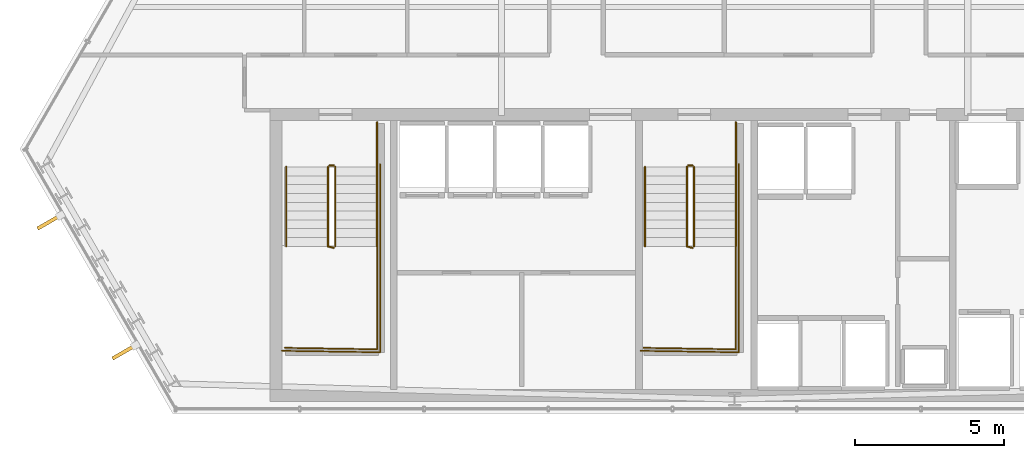
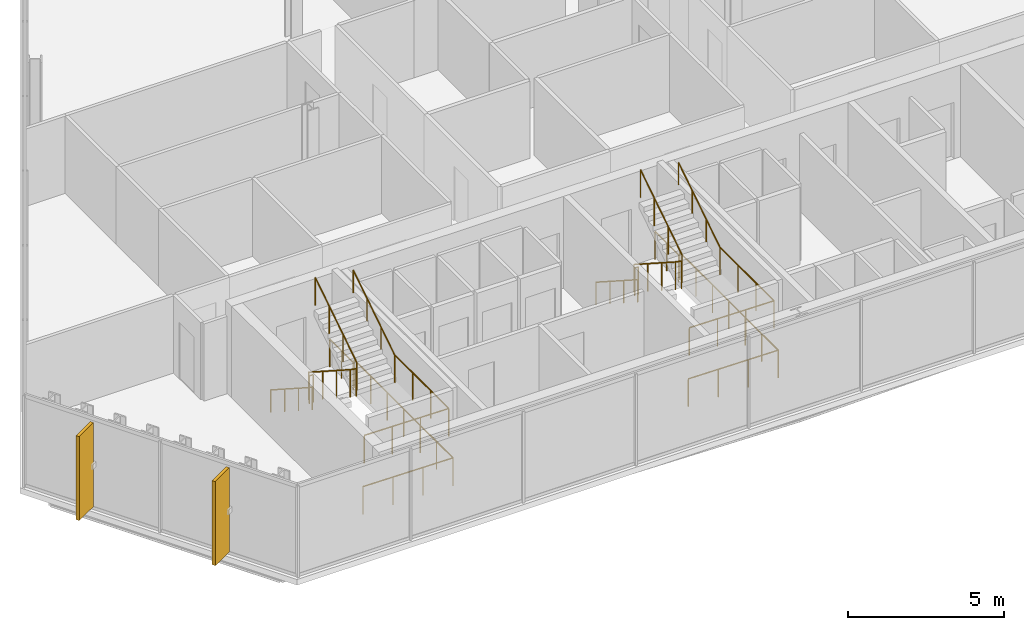
# One storey, part 32 of 35: 16 railings, 2 shading devices.
"""IFC4 building model written with IfcOpenShell, lengths in metres."""

from ifc_helpers import new_model, si_unit, direction, frame, origin, origin_2d, place, context, subcontext, project, spatial, rectangle, circle, extrude, material, layer, layer_set, type_object, element, save


model = new_model("IFC4")

# Units and contexts
model_context = context("Model", 3, precision=1e-05, world=origin(), true_north=direction((0.0, 1.0)))
body_context = subcontext(model_context, "Body", "Model", "MODEL_VIEW")
ifc_project = project(units=[si_unit("LENGTHUNIT", "METRE"), si_unit("AREAUNIT", "SQUARE_METRE"), si_unit("VOLUMEUNIT", "CUBIC_METRE"), si_unit("PLANEANGLEUNIT", "RADIAN"), si_unit("MASSUNIT", "GRAM", prefix="KILO")], contexts=[model_context])

# Site, building, storey
site_placement = place(None, origin())
site = spatial("IfcSite", under=ifc_project, at=site_placement, CompositionType="ELEMENT")
building_placement = place(site_placement, origin())
building = spatial("IfcBuilding", under=site, at=building_placement, Name="Ndaravel Arena Tower", CompositionType="ELEMENT")
storey_placement = place(building_placement, frame((0.0, 0.0, 176.39990234375)))
storey = spatial("IfcBuildingStorey", under=building, at=storey_placement, Name="L42", CompositionType="ELEMENT", Elevation=176.39990234375)

# Railings
ifc_material_1 = material(Name="Steel S355", Category="steel")
ifc_layer_1 = layer(ifc_material_1, 0.06005859375)
ifc_layer_set_1 = layer_set([ifc_layer_1], Name="Steel S355")
railing_type_1 = type_object("IfcRailingType", Name="RAIL-STAIR-GD1100", PredefinedType="GUARDRAIL", material=ifc_layer_set_1)
railing_1_placement = place(storey_placement, frame((28.39990234375, 13.25, 0.190185546875)))
element("IfcRailing", 1, at=railing_1_placement, inside=storey, type_object=railing_type_1, Name="L42 ST-1 stair guard 1", PredefinedType="GUARDRAIL", context=body_context, shape_type="SweptSolid", body=[
    extrude(circle(Radius=0.02392578125, at=origin_2d()), frame((0.0, 0.0, 1.076171875), z_axis=(0.0, -0.840723540582, 0.54146461409), x_axis=(1.0, 0.0, 0.0)), (0.0, 0.0, 1.0), 3.157958984375),
    extrude(circle(Radius=0.02392578125, at=origin_2d()), frame((0.0, -2.655029296875, 2.7861328125), z_axis=(0.967074537263, -0.25449329928, 0.0), x_axis=(0.25449329928, 0.967074537263, 0.0)), (0.0, 0.0, 1.0), 0.19677734375),
    extrude(circle(Radius=0.02099609375, at=origin_2d()), origin(), (0.0, 0.0, 1.0), 1.052001953125),
    extrude(circle(Radius=0.02099609375, at=origin_2d()), frame((0.0, -0.885009765625, 0.570068359375)), (0.0, 0.0, 1.0), 1.052001953125),
    extrude(circle(Radius=0.02099609375, at=origin_2d()), frame((0.0, -1.77001953125, 1.139892578125)), (0.0, 0.0, 1.0), 1.052001953125),
    extrude(circle(Radius=0.02099609375, at=origin_2d()), frame((0.0, -2.655029296875, 1.7099609375)), (0.0, 0.0, 1.0), 1.052001953125),
    extrude(circle(Radius=0.02099609375, at=origin_2d()), frame((0.190185546875, -2.705078125, 1.7099609375)), (0.0, 0.0, 1.0), 1.052001953125),
])
railing_2_placement = place(storey_placement, frame((30.0400390625, 10.594970703125, 1.900146484375)))
element("IfcRailing", 2, at=railing_2_placement, inside=storey, type_object=railing_type_1, Name="L42 ST-1 stair guard 2", PredefinedType="GUARDRAIL", context=body_context, shape_type="SweptSolid", body=[
    extrude(circle(Radius=0.02392578125, at=origin_2d()), frame((0.0, 0.0, 1.076171875), z_axis=(0.0, -1.0, 0.0), x_axis=(1.0, 0.0, 0.0)), (0.0, 0.0, 1.0), 3.445068359375),
    extrude(circle(Radius=0.02392578125, at=origin_2d()), frame((0.0, -3.445068359375, 1.076171875), z_axis=(-0.999868861343, 0.016194447071, 0.0), x_axis=(-0.016194447071, -0.999868861343, 0.0)), (0.0, 0.0, 1.0), 3.090576171875),
    extrude(circle(Radius=0.02099609375, at=origin_2d()), origin(), (0.0, 0.0, 1.0), 1.052001953125),
    extrude(circle(Radius=0.02099609375, at=origin_2d()), frame((0.0, -1.1484375, 0.0)), (0.0, 0.0, 1.0), 1.052001953125),
    extrude(circle(Radius=0.02099609375, at=origin_2d()), frame((0.0, -2.296630859375, 0.0)), (0.0, 0.0, 1.0), 1.052001953125),
    extrude(circle(Radius=0.02099609375, at=origin_2d()), frame((0.0, -3.445068359375, 0.0)), (0.0, 0.0, 1.0), 1.052001953125),
    extrude(circle(Radius=0.02099609375, at=origin_2d()), frame((-1.030029296875, -3.428466796875, 0.0)), (0.0, 0.0, 1.0), 1.052001953125),
    extrude(circle(Radius=0.02099609375, at=origin_2d()), frame((-2.06005859375, -3.41162109375, 0.0)), (0.0, 0.0, 1.0), 1.052001953125),
    extrude(circle(Radius=0.02099609375, at=origin_2d()), frame((-3.090087890625, -3.39501953125, 0.0)), (0.0, 0.0, 1.0), 1.052001953125),
])
railing_3_placement = place(storey_placement, frame((28.639892578125, 10.594970703125, 2.090087890625)))
element("IfcRailing", 3, at=railing_3_placement, inside=storey, type_object=railing_type_1, Name="L42 ST-1 stair guard 3", PredefinedType="GUARDRAIL", context=body_context, shape_type="SweptSolid", body=[
    extrude(circle(Radius=0.02392578125, at=origin_2d()), frame((0.0, 0.0, 1.076171875), z_axis=(0.0, 0.840723540582, 0.54146461409), x_axis=(-1.0, 0.0, 0.0)), (0.0, 0.0, 1.0), 3.157958984375),
    extrude(circle(Radius=0.02099609375, at=origin_2d()), origin(), (0.0, 0.0, 1.0), 1.052001953125),
    extrude(circle(Radius=0.02099609375, at=origin_2d()), frame((0.0, 0.885009765625, 0.570068359375)), (0.0, 0.0, 1.0), 1.052001953125),
    extrude(circle(Radius=0.02099609375, at=origin_2d()), frame((0.0, 1.77001953125, 1.139892578125)), (0.0, 0.0, 1.0), 1.052001953125),
    extrude(circle(Radius=0.02099609375, at=origin_2d()), frame((0.0, 2.655029296875, 1.7099609375)), (0.0, 0.0, 1.0), 1.052001953125),
])
railing_4_placement = place(storey_placement, frame((28.449951171875, 13.300048828125, 0.0)))
element("IfcRailing", 4, at=railing_4_placement, inside=storey, type_object=railing_type_1, Name="L42 ST-1 stair guard 4", PredefinedType="GUARDRAIL", context=body_context, shape_type="SweptSolid", body=[
    extrude(circle(Radius=0.02392578125, at=origin_2d()), frame((0.0, 0.0, 1.076171875), z_axis=(1.0, 0.0, 0.0), x_axis=(0.0, 1.0, 0.0)), (0.0, 0.0, 1.0), 0.14013671875),
    extrude(circle(Radius=0.02099609375, at=origin_2d()), origin(), (0.0, 0.0, 1.0), 1.052001953125),
    extrude(circle(Radius=0.02099609375, at=origin_2d()), frame((0.14013671875, 0.0, 0.0)), (0.0, 0.0, 1.0), 1.052001953125),
])
railing_5_placement = place(storey_placement, frame((30.0400390625, 14.75, 0.0)))
element("IfcRailing", 5, at=railing_5_placement, inside=storey, type_object=railing_type_1, Name="L42 ST-1 stair guard 5", PredefinedType="GUARDRAIL", context=body_context, shape_type="SweptSolid", body=[
    extrude(circle(Radius=0.02392578125, at=origin_2d()), frame((0.0, 0.0, 1.076171875), z_axis=(0.0, -1.0, 0.0), x_axis=(1.0, 0.0, 0.0)), (0.0, 0.0, 1.0), 1.5),
    extrude(circle(Radius=0.02099609375, at=origin_2d()), origin(), (0.0, 0.0, 1.0), 1.052001953125),
    extrude(circle(Radius=0.02099609375, at=origin_2d()), frame((0.0, -0.75, 0.0)), (0.0, 0.0, 1.0), 1.052001953125),
    extrude(circle(Radius=0.02099609375, at=origin_2d()), frame((0.0, -1.5, 0.0)), (0.0, 0.0, 1.0), 1.052001953125),
])
railing_6_placement = place(storey_placement, frame((30.139892578125, 13.35009765625, 0.0)))
element("IfcRailing", 6, at=railing_6_placement, inside=storey, type_object=railing_type_1, Name="L42 ST-1 stair guard 6", PredefinedType="GUARDRAIL", context=body_context, shape_type="SweptSolid", body=[
    extrude(circle(Radius=0.02392578125, at=origin_2d()), frame((0.0, 0.0, 1.076171875), z_axis=(0.0, -1.0, 0.0), x_axis=(1.0, 0.0, 0.0)), (0.0, 0.0, 1.0), 6.300048828125),
    extrude(circle(Radius=0.02392578125, at=origin_2d()), frame((0.0, -6.300048828125, 1.076171875), z_axis=(-0.999884296952, 0.015211597839, 0.0), x_axis=(-0.015211597839, -0.999884296952, 0.0)), (0.0, 0.0, 1.0), 3.290283203125),
    extrude(circle(Radius=0.02099609375, at=origin_2d()), origin(), (0.0, 0.0, 1.0), 1.052001953125),
    extrude(circle(Radius=0.02099609375, at=origin_2d()), frame((0.0, -1.050048828125, 0.0)), (0.0, 0.0, 1.0), 1.052001953125),
    extrude(circle(Radius=0.02099609375, at=origin_2d()), frame((0.0, -2.10009765625, 0.0)), (0.0, 0.0, 1.0), 1.052001953125),
    extrude(circle(Radius=0.02099609375, at=origin_2d()), frame((0.0, -3.14990234375, 0.0)), (0.0, 0.0, 1.0), 1.052001953125),
    extrude(circle(Radius=0.02099609375, at=origin_2d()), frame((0.0, -4.199951171875, 0.0)), (0.0, 0.0, 1.0), 1.052001953125),
    extrude(circle(Radius=0.02099609375, at=origin_2d()), frame((0.0, -5.25, 0.0)), (0.0, 0.0, 1.0), 1.052001953125),
    extrude(circle(Radius=0.02099609375, at=origin_2d()), frame((0.0, -6.300048828125, 0.0)), (0.0, 0.0, 1.0), 1.052001953125),
    extrude(circle(Radius=0.02099609375, at=origin_2d()), frame((-1.0966796875, -6.283447265625, 0.0)), (0.0, 0.0, 1.0), 1.052001953125),
    extrude(circle(Radius=0.02099609375, at=origin_2d()), frame((-2.193115234375, -6.2666015625, 0.0)), (0.0, 0.0, 1.0), 1.052001953125),
    extrude(circle(Radius=0.02099609375, at=origin_2d()), frame((-3.289794921875, -6.25, 0.0)), (0.0, 0.0, 1.0), 1.052001953125),
])
railing_7_placement = place(storey_placement, frame((40.39990234375, 13.25, 0.190185546875)))
element("IfcRailing", 7, at=railing_7_placement, inside=storey, type_object=railing_type_1, Name="L42 ST-2 stair guard 1", PredefinedType="GUARDRAIL", context=body_context, shape_type="SweptSolid", body=[
    extrude(circle(Radius=0.02392578125, at=origin_2d()), frame((0.0, 0.0, 1.076171875), z_axis=(0.0, -0.840723540582, 0.54146461409), x_axis=(1.0, 0.0, 0.0)), (0.0, 0.0, 1.0), 3.157958984375),
    extrude(circle(Radius=0.02392578125, at=origin_2d()), frame((0.0, -2.655029296875, 2.7861328125), z_axis=(0.967074537263, -0.25449329928, 0.0), x_axis=(0.25449329928, 0.967074537263, 0.0)), (0.0, 0.0, 1.0), 0.19677734375),
    extrude(circle(Radius=0.02099609375, at=origin_2d()), origin(), (0.0, 0.0, 1.0), 1.052001953125),
    extrude(circle(Radius=0.02099609375, at=origin_2d()), frame((0.0, -0.885009765625, 0.570068359375)), (0.0, 0.0, 1.0), 1.052001953125),
    extrude(circle(Radius=0.02099609375, at=origin_2d()), frame((0.0, -1.77001953125, 1.139892578125)), (0.0, 0.0, 1.0), 1.052001953125),
    extrude(circle(Radius=0.02099609375, at=origin_2d()), frame((0.0, -2.655029296875, 1.7099609375)), (0.0, 0.0, 1.0), 1.052001953125),
    extrude(circle(Radius=0.02099609375, at=origin_2d()), frame((0.190185546875, -2.705078125, 1.7099609375)), (0.0, 0.0, 1.0), 1.052001953125),
])
railing_8_placement = place(storey_placement, frame((42.0400390625, 10.594970703125, 1.900146484375)))
element("IfcRailing", 8, at=railing_8_placement, inside=storey, type_object=railing_type_1, Name="L42 ST-2 stair guard 2", PredefinedType="GUARDRAIL", context=body_context, shape_type="SweptSolid", body=[
    extrude(circle(Radius=0.02392578125, at=origin_2d()), frame((0.0, 0.0, 1.076171875), z_axis=(0.0, -1.0, 0.0), x_axis=(1.0, 0.0, 0.0)), (0.0, 0.0, 1.0), 3.445068359375),
    extrude(circle(Radius=0.02392578125, at=origin_2d()), frame((0.0, -3.445068359375, 1.076171875), z_axis=(-0.999868861343, 0.016194447071, 0.0), x_axis=(-0.016194447071, -0.999868861343, 0.0)), (0.0, 0.0, 1.0), 3.090576171875),
    extrude(circle(Radius=0.02099609375, at=origin_2d()), origin(), (0.0, 0.0, 1.0), 1.052001953125),
    extrude(circle(Radius=0.02099609375, at=origin_2d()), frame((0.0, -1.1484375, 0.0)), (0.0, 0.0, 1.0), 1.052001953125),
    extrude(circle(Radius=0.02099609375, at=origin_2d()), frame((0.0, -2.296630859375, 0.0)), (0.0, 0.0, 1.0), 1.052001953125),
    extrude(circle(Radius=0.02099609375, at=origin_2d()), frame((0.0, -3.445068359375, 0.0)), (0.0, 0.0, 1.0), 1.052001953125),
    extrude(circle(Radius=0.02099609375, at=origin_2d()), frame((-1.030029296875, -3.428466796875, 0.0)), (0.0, 0.0, 1.0), 1.052001953125),
    extrude(circle(Radius=0.02099609375, at=origin_2d()), frame((-2.06005859375, -3.41162109375, 0.0)), (0.0, 0.0, 1.0), 1.052001953125),
    extrude(circle(Radius=0.02099609375, at=origin_2d()), frame((-3.090087890625, -3.39501953125, 0.0)), (0.0, 0.0, 1.0), 1.052001953125),
])
railing_9_placement = place(storey_placement, frame((40.639892578125, 10.594970703125, 2.090087890625)))
element("IfcRailing", 9, at=railing_9_placement, inside=storey, type_object=railing_type_1, Name="L42 ST-2 stair guard 3", PredefinedType="GUARDRAIL", context=body_context, shape_type="SweptSolid", body=[
    extrude(circle(Radius=0.02392578125, at=origin_2d()), frame((0.0, 0.0, 1.076171875), z_axis=(0.0, 0.840723540582, 0.54146461409), x_axis=(-1.0, 0.0, 0.0)), (0.0, 0.0, 1.0), 3.157958984375),
    extrude(circle(Radius=0.02099609375, at=origin_2d()), origin(), (0.0, 0.0, 1.0), 1.052001953125),
    extrude(circle(Radius=0.02099609375, at=origin_2d()), frame((0.0, 0.885009765625, 0.570068359375)), (0.0, 0.0, 1.0), 1.052001953125),
    extrude(circle(Radius=0.02099609375, at=origin_2d()), frame((0.0, 1.77001953125, 1.139892578125)), (0.0, 0.0, 1.0), 1.052001953125),
    extrude(circle(Radius=0.02099609375, at=origin_2d()), frame((0.0, 2.655029296875, 1.7099609375)), (0.0, 0.0, 1.0), 1.052001953125),
])
railing_10_placement = place(storey_placement, frame((40.449951171875, 13.300048828125, 0.0)))
element("IfcRailing", 10, at=railing_10_placement, inside=storey, type_object=railing_type_1, Name="L42 ST-2 stair guard 4", PredefinedType="GUARDRAIL", context=body_context, shape_type="SweptSolid", body=[
    extrude(circle(Radius=0.02392578125, at=origin_2d()), frame((0.0, 0.0, 1.076171875), z_axis=(1.0, 0.0, 0.0), x_axis=(0.0, 1.0, 0.0)), (0.0, 0.0, 1.0), 0.14013671875),
    extrude(circle(Radius=0.02099609375, at=origin_2d()), origin(), (0.0, 0.0, 1.0), 1.052001953125),
    extrude(circle(Radius=0.02099609375, at=origin_2d()), frame((0.14013671875, 0.0, 0.0)), (0.0, 0.0, 1.0), 1.052001953125),
])
railing_11_placement = place(storey_placement, frame((42.0400390625, 14.75, 0.0)))
element("IfcRailing", 11, at=railing_11_placement, inside=storey, type_object=railing_type_1, Name="L42 ST-2 stair guard 5", PredefinedType="GUARDRAIL", context=body_context, shape_type="SweptSolid", body=[
    extrude(circle(Radius=0.02392578125, at=origin_2d()), frame((0.0, 0.0, 1.076171875), z_axis=(0.0, -1.0, 0.0), x_axis=(1.0, 0.0, 0.0)), (0.0, 0.0, 1.0), 1.5),
    extrude(circle(Radius=0.02099609375, at=origin_2d()), origin(), (0.0, 0.0, 1.0), 1.052001953125),
    extrude(circle(Radius=0.02099609375, at=origin_2d()), frame((0.0, -0.75, 0.0)), (0.0, 0.0, 1.0), 1.052001953125),
    extrude(circle(Radius=0.02099609375, at=origin_2d()), frame((0.0, -1.5, 0.0)), (0.0, 0.0, 1.0), 1.052001953125),
])
railing_12_placement = place(storey_placement, frame((42.139892578125, 13.35009765625, 0.0)))
element("IfcRailing", 12, at=railing_12_placement, inside=storey, type_object=railing_type_1, Name="L42 ST-2 stair guard 6", PredefinedType="GUARDRAIL", context=body_context, shape_type="SweptSolid", body=[
    extrude(circle(Radius=0.02392578125, at=origin_2d()), frame((0.0, 0.0, 1.076171875), z_axis=(0.0, -1.0, 0.0), x_axis=(1.0, 0.0, 0.0)), (0.0, 0.0, 1.0), 6.300048828125),
    extrude(circle(Radius=0.02392578125, at=origin_2d()), frame((0.0, -6.300048828125, 1.076171875), z_axis=(-0.999884296952, 0.015211597839, 0.0), x_axis=(-0.015211597839, -0.999884296952, 0.0)), (0.0, 0.0, 1.0), 3.290283203125),
    extrude(circle(Radius=0.02099609375, at=origin_2d()), origin(), (0.0, 0.0, 1.0), 1.052001953125),
    extrude(circle(Radius=0.02099609375, at=origin_2d()), frame((0.0, -1.050048828125, 0.0)), (0.0, 0.0, 1.0), 1.052001953125),
    extrude(circle(Radius=0.02099609375, at=origin_2d()), frame((0.0, -2.10009765625, 0.0)), (0.0, 0.0, 1.0), 1.052001953125),
    extrude(circle(Radius=0.02099609375, at=origin_2d()), frame((0.0, -3.14990234375, 0.0)), (0.0, 0.0, 1.0), 1.052001953125),
    extrude(circle(Radius=0.02099609375, at=origin_2d()), frame((0.0, -4.199951171875, 0.0)), (0.0, 0.0, 1.0), 1.052001953125),
    extrude(circle(Radius=0.02099609375, at=origin_2d()), frame((0.0, -5.25, 0.0)), (0.0, 0.0, 1.0), 1.052001953125),
    extrude(circle(Radius=0.02099609375, at=origin_2d()), frame((0.0, -6.300048828125, 0.0)), (0.0, 0.0, 1.0), 1.052001953125),
    extrude(circle(Radius=0.02099609375, at=origin_2d()), frame((-1.0966796875, -6.283447265625, 0.0)), (0.0, 0.0, 1.0), 1.052001953125),
    extrude(circle(Radius=0.02099609375, at=origin_2d()), frame((-2.193115234375, -6.2666015625, 0.0)), (0.0, 0.0, 1.0), 1.052001953125),
    extrude(circle(Radius=0.02099609375, at=origin_2d()), frame((-3.289794921875, -6.25, 0.0)), (0.0, 0.0, 1.0), 1.052001953125),
])
ifc_material_2 = material(Name="Steel S355", Category="steel")
ifc_layer_2 = layer(ifc_material_2, 0.050048828125)
ifc_layer_set_2 = layer_set([ifc_layer_2], Name="Steel S355")
railing_type_2 = type_object("IfcRailingType", Name="RAIL-STAIR-HR920", PredefinedType="HANDRAIL", material=ifc_layer_set_2)
railing_13_placement = place(storey_placement, frame((27.0, 13.25, 0.190185546875)))
element("IfcRailing", 13, at=railing_13_placement, inside=storey, type_object=railing_type_2, Name="L42 ST-1 stair handrail 1", PredefinedType="HANDRAIL", context=body_context, shape_type="SweptSolid", body=[
    extrude(circle(Radius=0.02392578125, at=origin_2d()), frame((0.0, 0.0, 0.8759765625), z_axis=(0.0, -0.840723540582, 0.54146461409), x_axis=(1.0, 0.0, 0.0)), (0.0, 0.0, 1.0), 3.157958984375),
    extrude(circle(Radius=0.02099609375, at=origin_2d()), origin(), (0.0, 0.0, 1.0), 0.851806640625),
    extrude(circle(Radius=0.02099609375, at=origin_2d()), frame((0.0, -0.885009765625, 0.570068359375)), (0.0, 0.0, 1.0), 0.851806640625),
    extrude(circle(Radius=0.02099609375, at=origin_2d()), frame((0.0, -1.77001953125, 1.139892578125)), (0.0, 0.0, 1.0), 0.851806640625),
    extrude(circle(Radius=0.02099609375, at=origin_2d()), frame((0.0, -2.655029296875, 1.7099609375)), (0.0, 0.0, 1.0), 0.851806640625),
])
railing_14_placement = place(storey_placement, frame((30.0400390625, 10.594970703125, 2.090087890625)))
element("IfcRailing", 14, at=railing_14_placement, inside=storey, type_object=railing_type_2, Name="L42 ST-1 stair handrail 2", PredefinedType="HANDRAIL", context=body_context, shape_type="SweptSolid", body=[
    extrude(circle(Radius=0.02392578125, at=origin_2d()), frame((0.0, 0.0, 0.8759765625), z_axis=(0.0, 0.840723540582, 0.54146461409), x_axis=(-1.0, 0.0, 0.0)), (0.0, 0.0, 1.0), 3.157958984375),
    extrude(circle(Radius=0.02099609375, at=origin_2d()), origin(), (0.0, 0.0, 1.0), 0.851806640625),
    extrude(circle(Radius=0.02099609375, at=origin_2d()), frame((0.0, 0.885009765625, 0.570068359375)), (0.0, 0.0, 1.0), 0.851806640625),
    extrude(circle(Radius=0.02099609375, at=origin_2d()), frame((0.0, 1.77001953125, 1.139892578125)), (0.0, 0.0, 1.0), 0.851806640625),
    extrude(circle(Radius=0.02099609375, at=origin_2d()), frame((0.0, 2.655029296875, 1.7099609375)), (0.0, 0.0, 1.0), 0.851806640625),
])
railing_15_placement = place(storey_placement, frame((39.0, 13.25, 0.190185546875)))
element("IfcRailing", 15, at=railing_15_placement, inside=storey, type_object=railing_type_2, Name="L42 ST-2 stair handrail 1", PredefinedType="HANDRAIL", context=body_context, shape_type="SweptSolid", body=[
    extrude(circle(Radius=0.02392578125, at=origin_2d()), frame((0.0, 0.0, 0.8759765625), z_axis=(0.0, -0.840723540582, 0.54146461409), x_axis=(1.0, 0.0, 0.0)), (0.0, 0.0, 1.0), 3.157958984375),
    extrude(circle(Radius=0.02099609375, at=origin_2d()), origin(), (0.0, 0.0, 1.0), 0.851806640625),
    extrude(circle(Radius=0.02099609375, at=origin_2d()), frame((0.0, -0.885009765625, 0.570068359375)), (0.0, 0.0, 1.0), 0.851806640625),
    extrude(circle(Radius=0.02099609375, at=origin_2d()), frame((0.0, -1.77001953125, 1.139892578125)), (0.0, 0.0, 1.0), 0.851806640625),
    extrude(circle(Radius=0.02099609375, at=origin_2d()), frame((0.0, -2.655029296875, 1.7099609375)), (0.0, 0.0, 1.0), 0.851806640625),
])
railing_16_placement = place(storey_placement, frame((42.0400390625, 10.594970703125, 2.090087890625)))
element("IfcRailing", 16, at=railing_16_placement, inside=storey, type_object=railing_type_2, Name="L42 ST-2 stair handrail 2", PredefinedType="HANDRAIL", context=body_context, shape_type="SweptSolid", body=[
    extrude(circle(Radius=0.02392578125, at=origin_2d()), frame((0.0, 0.0, 0.8759765625), z_axis=(0.0, 0.840723540582, 0.54146461409), x_axis=(-1.0, 0.0, 0.0)), (0.0, 0.0, 1.0), 3.157958984375),
    extrude(circle(Radius=0.02099609375, at=origin_2d()), origin(), (0.0, 0.0, 1.0), 0.851806640625),
    extrude(circle(Radius=0.02099609375, at=origin_2d()), frame((0.0, 0.885009765625, 0.570068359375)), (0.0, 0.0, 1.0), 0.851806640625),
    extrude(circle(Radius=0.02099609375, at=origin_2d()), frame((0.0, 1.77001953125, 1.139892578125)), (0.0, 0.0, 1.0), 0.851806640625),
    extrude(circle(Radius=0.02099609375, at=origin_2d()), frame((0.0, 2.655029296875, 1.7099609375)), (0.0, 0.0, 1.0), 0.851806640625),
])

# Shading devices
ifc_material_3 = material(Name="Masonry", Category="masonry")
shading_device_type = type_object("IfcShadingDeviceType", Name="SHD-MAZERAS-FIN", PredefinedType="SHUTTER", material=ifc_material_3)
for number, where, z_axis, x_axis, name in (
    (17, (19.070068359375, 11.41259765625, 0.14990234375), (0.0, 0.0, 1.0), (-0.866025403784, -0.5, 0.0), "L42 Mazeras Stone Solar Fin E6.1"),
    (18, (21.579345703125, 7.066162109375, 0.14990234375), (0.0, 0.0, 1.0), (-0.866025403784, -0.5, 0.0), "L42 Mazeras Stone Solar Fin E6.2"),
):
    element("IfcShadingDevice", number, at=place(storey_placement, frame(where, z_axis=z_axis, x_axis=x_axis)), inside=storey, type_object=shading_device_type, Name=name, PredefinedType="SHUTTER", context=body_context, shape_type="SweptSolid", body=[
        extrude(rectangle(XDim=0.89990234375, YDim=0.1201171875, at=origin_2d()), origin(), (0.0, 0.0, 1.0), 3.280029296875),
    ])

save(model, "model.ifc")
